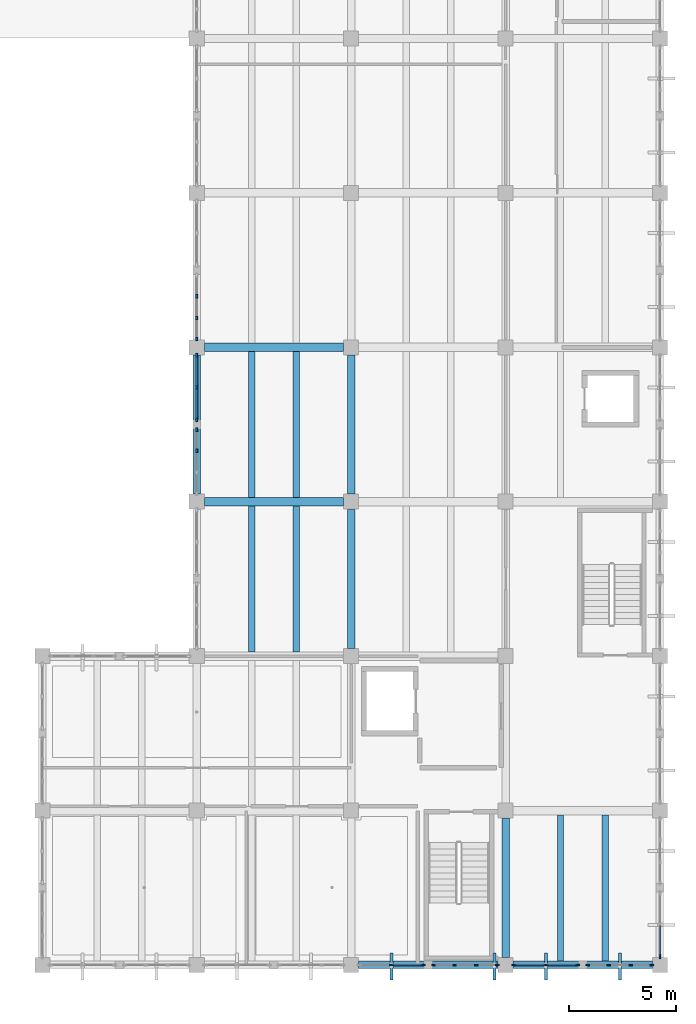
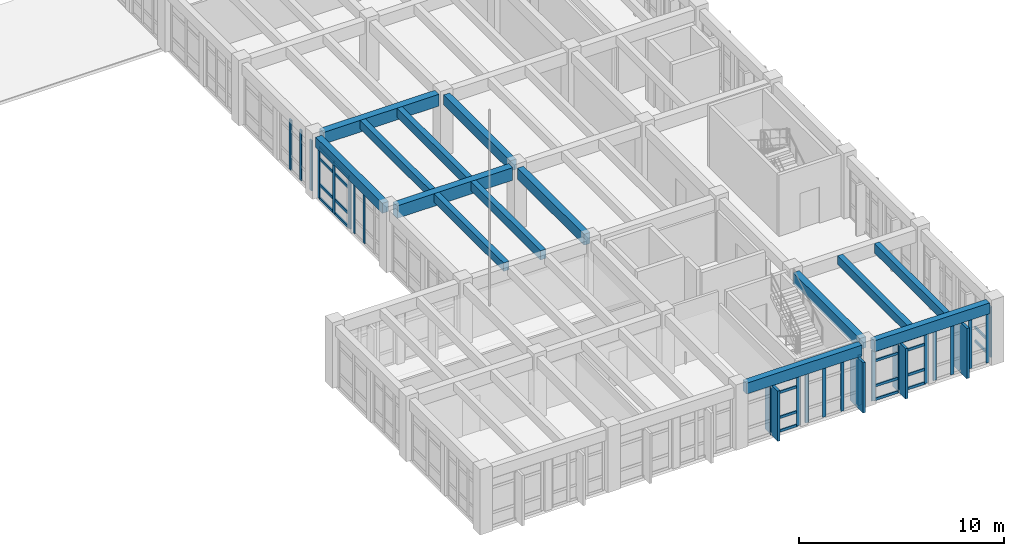
# One storey, part 12 of 54: 48 members, 14 beams, 8 elements without a shape of their own.
"""IFC4 building model written with IfcOpenShell, lengths in metres."""

from ifc_helpers import new_model, si_unit, direction, frame, origin, origin_2d, place, context, subcontext, project, spatial, rectangle, extrude, material, layer, layer_set, material_profile, profile_set, type_object, element, aggregate, save


model = new_model("IFC4")

# Units and contexts
model_context = context("Model", 3, precision=1e-05, world=origin(), true_north=direction((0.0, 1.0)))
body_context = subcontext(model_context, "Body", "Model", "MODEL_VIEW")
ifc_project = project(units=[si_unit("LENGTHUNIT", "METRE"), si_unit("AREAUNIT", "SQUARE_METRE"), si_unit("VOLUMEUNIT", "CUBIC_METRE"), si_unit("PLANEANGLEUNIT", "RADIAN"), si_unit("MASSUNIT", "GRAM", prefix="KILO")], contexts=[model_context])

# Site, building, storey
site_placement = place(None, origin())
site = spatial("IfcSite", under=ifc_project, at=site_placement, CompositionType="ELEMENT")
building_placement = place(site_placement, origin())
building = spatial("IfcBuilding", under=site, at=building_placement, Name="Koriwan Promenade Central Fire Station", CompositionType="ELEMENT")
storey_placement = place(building_placement, frame((0.0, 0.0, 9.60009765625)))
storey = spatial("IfcBuildingStorey", under=building, at=storey_placement, Name="L02", CompositionType="ELEMENT", Elevation=9.60009765625)

# Beams
ifc_material_1 = material(Name="Concrete C35/45", Category="concrete")
ifc_material_profile_1 = material_profile(ifc_material_1, rectangle(XDim=0.300048828125, YDim=0.5, at=origin_2d()), Name="RC-BM-300x500")
ifc_profile_set_1 = profile_set([ifc_material_profile_1], Name="Concrete C35/45")
beam_type_1 = type_object("IfcBeamType", Name="Beam_RC-BM-300x500", PredefinedType="JOIST", material=ifc_profile_set_1)
beam_1_placement = place(storey_placement, frame((168.159912109375, 0.175048828125, 3.39990234375), z_axis=(0.0, 1.0, 0.0), x_axis=(-1.0, 0.0, 0.0)))
element("IfcBeam", 1, at=beam_1_placement, inside=storey, type_object=beam_type_1, Name="V5 L02 secondary joist 821", PredefinedType="JOIST", context=body_context, shape_type="SweptSolid", body=[
    extrude(rectangle(XDim=0.300048828125, YDim=0.5, at=origin_2d()), origin(), (0.0, 0.0, 1.0), 6.824951171875),
])
beam_2_placement = place(storey_placement, frame((153.760009765625, 14.60009765625, 3.39990234375), z_axis=(0.0, 1.0, 0.0), x_axis=(-1.0, 0.0, 0.0)))
element("IfcBeam", 2, at=beam_2_placement, inside=storey, type_object=beam_type_1, Name="V5 L02 secondary joist 827", PredefinedType="JOIST", context=body_context, shape_type="SweptSolid", body=[
    extrude(rectangle(XDim=0.300048828125, YDim=0.5, at=origin_2d()), origin(), (0.0, 0.0, 1.0), 6.7998046875),
])
beam_3_placement = place(storey_placement, frame((153.760009765625, 21.800048828125, 3.39990234375), z_axis=(0.0, 1.0, 0.0), x_axis=(-1.0, 0.0, 0.0)))
element("IfcBeam", 3, at=beam_3_placement, inside=storey, type_object=beam_type_1, Name="V5 L02 secondary joist 831", PredefinedType="JOIST", context=body_context, shape_type="SweptSolid", body=[
    extrude(rectangle(XDim=0.300048828125, YDim=0.5, at=origin_2d()), origin(), (0.0, 0.0, 1.0), 6.800048828125),
])
ifc_material_profile_2 = material_profile(ifc_material_1, rectangle(XDim=0.300048828125, YDim=0.550048828125, at=origin_2d()), Name="RC-BM-300x550")
ifc_profile_set_2 = profile_set([ifc_material_profile_2], Name="Concrete C35/45")
beam_type_2 = type_object("IfcBeamType", Name="Beam_RC-BM-300x550", PredefinedType="JOIST", material=ifc_profile_set_2)
beam_4_placement = place(storey_placement, frame((170.239990234375, 0.175048828125, 3.375), z_axis=(0.0, 1.0, 0.0), x_axis=(-1.0, 0.0, 0.0)))
element("IfcBeam", 4, at=beam_4_placement, inside=storey, type_object=beam_type_2, Name="V5 L02 secondary joist 822", PredefinedType="JOIST", context=body_context, shape_type="SweptSolid", body=[
    extrude(rectangle(XDim=0.300048828125, YDim=0.550048828125, at=origin_2d()), origin(), (0.0, 0.0, 1.0), 6.824951171875),
])
beam_5_placement = place(storey_placement, frame((155.840087890625, 14.60009765625, 3.375), z_axis=(0.0, 1.0, 0.0), x_axis=(-1.0, 0.0, 0.0)))
element("IfcBeam", 5, at=beam_5_placement, inside=storey, type_object=beam_type_2, Name="V5 L02 secondary joist 828", PredefinedType="JOIST", context=body_context, shape_type="SweptSolid", body=[
    extrude(rectangle(XDim=0.300048828125, YDim=0.550048828125, at=origin_2d()), origin(), (0.0, 0.0, 1.0), 6.7998046875),
])
beam_6_placement = place(storey_placement, frame((155.840087890625, 21.800048828125, 3.375), z_axis=(0.0, 1.0, 0.0), x_axis=(-1.0, 0.0, 0.0)))
element("IfcBeam", 6, at=beam_6_placement, inside=storey, type_object=beam_type_2, Name="V5 L02 secondary joist 832", PredefinedType="JOIST", context=body_context, shape_type="SweptSolid", body=[
    extrude(rectangle(XDim=0.300048828125, YDim=0.550048828125, at=origin_2d()), origin(), (0.0, 0.0, 1.0), 6.800048828125),
])
ifc_material_profile_3 = material_profile(ifc_material_1, rectangle(XDim=0.35009765625, YDim=0.60009765625, at=origin_2d()), Name="RC-BM-350x600")
ifc_profile_set_3 = profile_set([ifc_material_profile_3], Name="Concrete C35/45")
beam_type_3 = type_object("IfcBeamType", Name="Beam_RC-BM-350x600", PredefinedType="BEAM", material=ifc_profile_set_3)
for number, where, z_axis, x_axis, name in (
    (7, (151.199951171875, 21.949951171875, 3.349853515625), (0.0, 1.0, 0.0), (-1.0, 0.0, 0.0), "V5 L02 girder Y-788"),
    (8, (158.39990234375, 21.949951171875, 3.349853515625), (0.0, 1.0, 0.0), (-1.0, 0.0, 0.0), "V5 L02 girder Y-796"),
):
    element("IfcBeam", number, at=place(storey_placement, frame(where, z_axis=z_axis, x_axis=x_axis)), inside=storey, type_object=beam_type_3, Name=name, PredefinedType="BEAM", context=body_context, shape_type="SweptSolid", body=[
        extrude(rectangle(XDim=0.35009765625, YDim=0.60009765625, at=origin_2d()), origin(), (0.0, 0.0, 1.0), 6.5),
    ])
ifc_material_profile_4 = material_profile(ifc_material_1, rectangle(XDim=0.35009765625, YDim=0.64990234375, at=origin_2d()), Name="RC-BM-350x650")
ifc_profile_set_4 = profile_set([ifc_material_profile_4], Name="Concrete C35/45")
beam_type_4 = type_object("IfcBeamType", Name="Beam_RC-BM-350x650", PredefinedType="BEAM", material=ifc_profile_set_4)
for number, where, z_axis, x_axis, name in (
    (9, (158.39990234375, 14.75, 3.324951171875), (0.0, 1.0, 0.0), (-1.0, 0.0, 0.0), "V5 L02 girder Y-795"),
    (10, (165.60009765625, 0.35009765625, 3.324951171875), (0.0, 1.0, 0.0), (-1.0, 0.0, 0.0), "V5 L02 girder Y-801"),
):
    element("IfcBeam", number, at=place(storey_placement, frame(where, z_axis=z_axis, x_axis=x_axis)), inside=storey, type_object=beam_type_4, Name=name, PredefinedType="BEAM", context=body_context, shape_type="SweptSolid", body=[
        extrude(rectangle(XDim=0.35009765625, YDim=0.64990234375, at=origin_2d()), origin(), (0.0, 0.0, 1.0), 6.5),
    ])
ifc_material_profile_5 = material_profile(ifc_material_1, rectangle(XDim=0.39990234375, YDim=0.699951171875, at=origin_2d()), Name="RC-BM-400x700")
ifc_profile_set_5 = profile_set([ifc_material_profile_5], Name="Concrete C35/45")
beam_type_5 = type_object("IfcBeamType", Name="Beam_RC-BM-400x700", PredefinedType="BEAM", material=ifc_profile_set_5)
beam_7_placement = place(storey_placement, frame((151.550048828125, 28.800048828125, 3.2998046875), z_axis=(1.0, 0.0, 0.0), x_axis=(0.0, 1.0, 0.0)))
element("IfcBeam", 11, at=beam_7_placement, inside=storey, type_object=beam_type_5, Name="V5 L02 girder X-768", PredefinedType="BEAM", context=body_context, shape_type="SweptSolid", body=[
    extrude(rectangle(XDim=0.39990234375, YDim=0.699951171875, at=origin_2d()), origin(), (0.0, 0.0, 1.0), 6.5),
])
ifc_material_profile_6 = material_profile(ifc_material_1, rectangle(XDim=0.39990234375, YDim=0.75, at=origin_2d()), Name="RC-BM-400x750")
ifc_profile_set_6 = profile_set([ifc_material_profile_6], Name="Concrete C35/45")
beam_type_6 = type_object("IfcBeamType", Name="Beam_RC-BM-400x750", PredefinedType="BEAM", material=ifc_profile_set_6)
beam_8_placement = place(storey_placement, frame((151.550048828125, 21.60009765625, 3.27490234375), z_axis=(1.0, 0.0, 0.0), x_axis=(0.0, 1.0, 0.0)))
element("IfcBeam", 12, at=beam_8_placement, inside=storey, type_object=beam_type_6, Name="V5 L02 girder X-765", PredefinedType="BEAM", context=body_context, shape_type="SweptSolid", body=[
    extrude(rectangle(XDim=0.39990234375, YDim=0.75, at=origin_2d()), origin(), (0.0, 0.0, 1.0), 6.5),
])
ifc_material_profile_7 = material_profile(ifc_material_1, rectangle(XDim=0.35009765625, YDim=0.64990234375, at=origin_2d()), Name="RC-SP-350x650")
ifc_profile_set_7 = profile_set([ifc_material_profile_7], Name="Concrete C35/45")
beam_type_7 = type_object("IfcBeamType", Name="Beam_RC-SP-350x650", PredefinedType="SPANDREL", material=ifc_profile_set_7)
for number, where, z_axis, x_axis, name in (
    (13, (158.75, 0.0, 3.324951171875), (1.0, 0.0, 0.0), (0.0, 1.0, 0.0), "V5 L02 girder X-757"),
    (14, (165.949951171875, 0.0, 3.324951171875), (1.0, 0.0, 0.0), (0.0, 1.0, 0.0), "V5 L02 girder X-758"),
):
    element("IfcBeam", number, at=place(storey_placement, frame(where, z_axis=z_axis, x_axis=x_axis)), inside=storey, type_object=beam_type_7, Name=name, PredefinedType="SPANDREL", context=body_context, shape_type="SweptSolid", body=[
        extrude(rectangle(XDim=0.35009765625, YDim=0.64990234375, at=origin_2d()), origin(), (0.0, 0.0, 1.0), 6.5),
    ])

# Curtain wall, members
ifc_material_2 = material(Name="Aluminium EN AW-6063-T6 and low-E glazing", Category="aluminium")
ifc_layer_1 = layer(ifc_material_2, 0.159912109375, Name="Aluminium EN AW-6063-T6 and low-E glazing")
ifc_layer_set_1 = layer_set([ifc_layer_1], Name="Aluminium EN AW-6063-T6 and low-E glazing")
curtain_wall_type_1 = type_object("IfcCurtainWallType", Name="CurtainWall_73_305x299", PredefinedType="USERDEFINED", material=ifc_layer_set_1)
curtain_wall_1_placement = place(storey_placement, origin())
curtain_wall_1 = element("IfcCurtainWall", 15, at=curtain_wall_1_placement, inside=storey, type_object=curtain_wall_type_1, Name="V5 L02 unitised curtain wall 209", ObjectType="UNITISED CURTAIN WALL", PredefinedType="USERDEFINED")
ifc_material_3 = material(Name="Aluminium EN AW-6063-T6", Category="aluminium")
ifc_material_profile_8 = material_profile(ifc_material_3, rectangle(XDim=0.074951171875, YDim=0.179931640625, at=origin_2d()), Name="ALU-MUL-75x180")
ifc_profile_set_8 = profile_set([ifc_material_profile_8], Name="Aluminium EN AW-6063-T6")
member_type_1 = type_object("IfcMemberType", Name="CWMullion_ALU-MUL-75x180", PredefinedType="MULLION", material=ifc_profile_set_8)
member_1_placement = place(storey_placement, frame((172.41259765625, 0.0, 0.0), z_axis=(0.0, 0.0, 1.0), x_axis=(0.0, -1.0, 0.0)))
member_1 = element("IfcMember", 16, at=member_1_placement, type_object=member_type_1, Name="CW-73 mullion 1", PredefinedType="MULLION", context=body_context, shape_type="SweptSolid", body=[
    extrude(rectangle(XDim=0.074951171875, YDim=0.179931640625, at=origin_2d()), origin(), (0.0, 0.0, 1.0), 2.989990234375),
])
member_2_placement = place(storey_placement, frame((171.433349609375, 0.0, 0.0), z_axis=(0.0, 0.0, 1.0), x_axis=(0.0, -1.0, 0.0)))
member_2 = element("IfcMember", 17, at=member_2_placement, type_object=member_type_1, Name="CW-73 mullion 2", PredefinedType="MULLION", context=body_context, shape_type="SweptSolid", body=[
    extrude(rectangle(XDim=0.074951171875, YDim=0.179931640625, at=origin_2d()), origin(), (0.0, 0.0, 1.0), 2.989990234375),
])
member_3_placement = place(storey_placement, frame((170.416748046875, 0.0, 0.0), z_axis=(0.0, 0.0, 1.0), x_axis=(0.0, -1.0, 0.0)))
member_3 = element("IfcMember", 18, at=member_3_placement, type_object=member_type_1, Name="CW-73 mullion 3", PredefinedType="MULLION", context=body_context, shape_type="SweptSolid", body=[
    extrude(rectangle(XDim=0.074951171875, YDim=0.179931640625, at=origin_2d()), origin(), (0.0, 0.0, 1.0), 2.989990234375),
])
member_4_placement = place(storey_placement, frame((169.4375, 0.0, 0.0), z_axis=(0.0, 0.0, 1.0), x_axis=(0.0, -1.0, 0.0)))
member_4 = element("IfcMember", 19, at=member_4_placement, type_object=member_type_1, Name="CW-73 mullion 4", PredefinedType="MULLION", context=body_context, shape_type="SweptSolid", body=[
    extrude(rectangle(XDim=0.074951171875, YDim=0.179931640625, at=origin_2d()), origin(), (0.0, 0.0, 1.0), 2.989990234375),
])
aggregate(curtain_wall_1, [member_1, member_2, member_3, member_4])

curtain_wall_2_placement = place(storey_placement, origin())
curtain_wall_2 = element("IfcCurtainWall", 20, at=curtain_wall_2_placement, inside=storey, type_object=curtain_wall_type_1, Name="V5 L02 unitised curtain wall 211", ObjectType="UNITISED CURTAIN WALL", PredefinedType="USERDEFINED")
member_5_placement = place(storey_placement, frame((165.21240234375, 0.0, 0.0), z_axis=(0.0, 0.0, 1.0), x_axis=(0.0, -1.0, 0.0)))
member_5 = element("IfcMember", 21, at=member_5_placement, type_object=member_type_1, Name="CW-73 mullion 1", PredefinedType="MULLION", context=body_context, shape_type="SweptSolid", body=[
    extrude(rectangle(XDim=0.074951171875, YDim=0.179931640625, at=origin_2d()), origin(), (0.0, 0.0, 1.0), 2.989990234375),
])
member_6_placement = place(storey_placement, frame((164.2333984375, 0.0, 0.0), z_axis=(0.0, 0.0, 1.0), x_axis=(0.0, -1.0, 0.0)))
member_6 = element("IfcMember", 22, at=member_6_placement, type_object=member_type_1, Name="CW-73 mullion 2", PredefinedType="MULLION", context=body_context, shape_type="SweptSolid", body=[
    extrude(rectangle(XDim=0.074951171875, YDim=0.179931640625, at=origin_2d()), origin(), (0.0, 0.0, 1.0), 2.989990234375),
])
member_7_placement = place(storey_placement, frame((163.216552734375, 0.0, 0.0), z_axis=(0.0, 0.0, 1.0), x_axis=(0.0, -1.0, 0.0)))
member_7 = element("IfcMember", 23, at=member_7_placement, type_object=member_type_1, Name="CW-73 mullion 3", PredefinedType="MULLION", context=body_context, shape_type="SweptSolid", body=[
    extrude(rectangle(XDim=0.074951171875, YDim=0.179931640625, at=origin_2d()), origin(), (0.0, 0.0, 1.0), 2.989990234375),
])
member_8_placement = place(storey_placement, frame((162.237548828125, 0.0, 0.0), z_axis=(0.0, 0.0, 1.0), x_axis=(0.0, -1.0, 0.0)))
member_8 = element("IfcMember", 24, at=member_8_placement, type_object=member_type_1, Name="CW-73 mullion 4", PredefinedType="MULLION", context=body_context, shape_type="SweptSolid", body=[
    extrude(rectangle(XDim=0.074951171875, YDim=0.179931640625, at=origin_2d()), origin(), (0.0, 0.0, 1.0), 2.989990234375),
])
aggregate(curtain_wall_2, [member_5, member_6, member_7, member_8])

ifc_layer_2 = layer(ifc_material_2, 0.159912109375, Name="Aluminium EN AW-6063-T6 and low-E glazing")
ifc_layer_set_2 = layer_set([ifc_layer_2], Name="Aluminium EN AW-6063-T6 and low-E glazing")
curtain_wall_type_2 = type_object("IfcCurtainWallType", Name="CurtainWall_80_305x304", PredefinedType="USERDEFINED", material=ifc_layer_set_2)
curtain_wall_3_placement = place(storey_placement, origin())
curtain_wall_3 = element("IfcCurtainWall", 25, at=curtain_wall_3_placement, inside=storey, type_object=curtain_wall_type_2, Name="V5 L02 unitised curtain wall 225", ObjectType="UNITISED CURTAIN WALL", PredefinedType="USERDEFINED")
member_9_placement = place(storey_placement, frame((151.199951171875, 23.9833984375, 0.0), z_axis=(0.0, 0.0, 1.0), x_axis=(-1.0, 0.0, 0.0)))
member_9 = element("IfcMember", 26, at=member_9_placement, type_object=member_type_1, Name="CW-80 mullion 3", PredefinedType="MULLION", context=body_context, shape_type="SweptSolid", body=[
    extrude(rectangle(XDim=0.074951171875, YDim=0.179931640625, at=origin_2d()), origin(), (0.0, 0.0, 1.0), 3.039794921875),
])
member_10_placement = place(storey_placement, frame((151.199951171875, 24.96240234375, 0.0), z_axis=(0.0, 0.0, 1.0), x_axis=(-1.0, 0.0, 0.0)))
member_10 = element("IfcMember", 27, at=member_10_placement, type_object=member_type_1, Name="CW-80 mullion 4", PredefinedType="MULLION", context=body_context, shape_type="SweptSolid", body=[
    extrude(rectangle(XDim=0.074951171875, YDim=0.179931640625, at=origin_2d()), origin(), (0.0, 0.0, 1.0), 3.039794921875),
])
aggregate(curtain_wall_3, [member_9, member_10])

curtain_wall_4_placement = place(storey_placement, origin())
curtain_wall_4 = element("IfcCurtainWall", 28, at=curtain_wall_4_placement, inside=storey, type_object=curtain_wall_type_1, Name="V5 L02 unitised curtain wall 227", ObjectType="UNITISED CURTAIN WALL", PredefinedType="USERDEFINED")
member_11_placement = place(storey_placement, frame((151.199951171875, 29.1875, 0.0), z_axis=(0.0, 0.0, 1.0), x_axis=(-1.0, 0.0, 0.0)))
member_11 = element("IfcMember", 29, at=member_11_placement, type_object=member_type_1, Name="CW-73 mullion 1", PredefinedType="MULLION", context=body_context, shape_type="SweptSolid", body=[
    extrude(rectangle(XDim=0.074951171875, YDim=0.179931640625, at=origin_2d()), origin(), (0.0, 0.0, 1.0), 2.989990234375),
])
member_12_placement = place(storey_placement, frame((151.199951171875, 30.166748046875, 0.0), z_axis=(0.0, 0.0, 1.0), x_axis=(-1.0, 0.0, 0.0)))
member_12 = element("IfcMember", 30, at=member_12_placement, type_object=member_type_1, Name="CW-73 mullion 2", PredefinedType="MULLION", context=body_context, shape_type="SweptSolid", body=[
    extrude(rectangle(XDim=0.074951171875, YDim=0.179931640625, at=origin_2d()), origin(), (0.0, 0.0, 1.0), 2.989990234375),
])
member_13_placement = place(storey_placement, frame((151.199951171875, 31.183349609375, 0.0), z_axis=(0.0, 0.0, 1.0), x_axis=(-1.0, 0.0, 0.0)))
member_13 = element("IfcMember", 31, at=member_13_placement, type_object=member_type_1, Name="CW-73 mullion 3", PredefinedType="MULLION", context=body_context, shape_type="SweptSolid", body=[
    extrude(rectangle(XDim=0.074951171875, YDim=0.179931640625, at=origin_2d()), origin(), (0.0, 0.0, 1.0), 2.989990234375),
])
aggregate(curtain_wall_4, [member_11, member_12, member_13])

ifc_layer_3 = layer(ifc_material_2, 0.159912109375, Name="Aluminium EN AW-6063-T6 and low-E glazing")
ifc_layer_set_3 = layer_set([ifc_layer_3], Name="Aluminium EN AW-6063-T6 and low-E glazing")
curtain_wall_type_3 = type_object("IfcCurtainWallType", Name="CurtainWall_10_305x299", PredefinedType="USERDEFINED", material=ifc_layer_set_3)
curtain_wall_5_placement = place(storey_placement, origin())
curtain_wall_5 = element("IfcCurtainWall", 32, at=curtain_wall_5_placement, inside=storey, type_object=curtain_wall_type_3, Name="V5 L02 unitised curtain wall 210", ObjectType="UNITISED CURTAIN WALL", PredefinedType="USERDEFINED")
ifc_material_profile_9 = material_profile(ifc_material_3, rectangle(XDim=0.080078125, YDim=0.2099609375, at=origin_2d()), Name="ALU-MUL-80x210")
ifc_profile_set_9 = profile_set([ifc_material_profile_9], Name="Aluminium EN AW-6063-T6")
member_type_2 = type_object("IfcMemberType", Name="CWMullion_ALU-MUL-80x210", PredefinedType="MULLION", material=ifc_profile_set_9)
member_14_placement = place(storey_placement, frame((168.9599609375, 0.0, 0.0), z_axis=(0.0, 0.0, 1.0), x_axis=(0.0, -1.0, 0.0)))
member_14 = element("IfcMember", 33, at=member_14_placement, type_object=member_type_2, Name="CW-10 mullion 1", PredefinedType="MULLION", context=body_context, shape_type="SweptSolid", body=[
    extrude(rectangle(XDim=0.080078125, YDim=0.2099609375, at=origin_2d()), origin(), (0.0, 0.0, 1.0), 2.989990234375),
])
member_15_placement = place(storey_placement, frame((167.47509765625, 0.0, 0.0), z_axis=(0.0, 0.0, 1.0), x_axis=(0.0, -1.0, 0.0)))
member_15 = element("IfcMember", 34, at=member_15_placement, type_object=member_type_2, Name="CW-10 mullion 2", PredefinedType="MULLION", context=body_context, shape_type="SweptSolid", body=[
    extrude(rectangle(XDim=0.080078125, YDim=0.2099609375, at=origin_2d()), origin(), (0.0, 0.0, 1.0), 2.989990234375),
])
member_16_placement = place(storey_placement, frame((165.989990234375, 0.0, 0.0), z_axis=(0.0, 0.0, 1.0), x_axis=(0.0, -1.0, 0.0)))
member_16 = element("IfcMember", 35, at=member_16_placement, type_object=member_type_2, Name="CW-10 mullion 3", PredefinedType="MULLION", context=body_context, shape_type="SweptSolid", body=[
    extrude(rectangle(XDim=0.080078125, YDim=0.2099609375, at=origin_2d()), origin(), (0.0, 0.0, 1.0), 2.989990234375),
])

curtain_wall_6_placement = place(storey_placement, origin())
curtain_wall_6 = element("IfcCurtainWall", 36, at=curtain_wall_6_placement, inside=storey, type_object=curtain_wall_type_3, Name="V5 L02 unitised curtain wall 212", ObjectType="UNITISED CURTAIN WALL", PredefinedType="USERDEFINED")
member_17_placement = place(storey_placement, frame((161.760009765625, 0.0, 0.0), z_axis=(0.0, 0.0, 1.0), x_axis=(0.0, -1.0, 0.0)))
member_17 = element("IfcMember", 37, at=member_17_placement, type_object=member_type_2, Name="CW-10 mullion 1", PredefinedType="MULLION", context=body_context, shape_type="SweptSolid", body=[
    extrude(rectangle(XDim=0.080078125, YDim=0.2099609375, at=origin_2d()), origin(), (0.0, 0.0, 1.0), 2.989990234375),
])
member_18_placement = place(storey_placement, frame((160.27490234375, 0.0, 0.0), z_axis=(0.0, 0.0, 1.0), x_axis=(0.0, -1.0, 0.0)))
member_18 = element("IfcMember", 38, at=member_18_placement, type_object=member_type_2, Name="CW-10 mullion 2", PredefinedType="MULLION", context=body_context, shape_type="SweptSolid", body=[
    extrude(rectangle(XDim=0.080078125, YDim=0.2099609375, at=origin_2d()), origin(), (0.0, 0.0, 1.0), 2.989990234375),
])

ifc_layer_4 = layer(ifc_material_2, 0.159912109375, Name="Aluminium EN AW-6063-T6 and low-E glazing")
ifc_layer_set_4 = layer_set([ifc_layer_4], Name="Aluminium EN AW-6063-T6 and low-E glazing")
curtain_wall_type_4 = type_object("IfcCurtainWallType", Name="CurtainWall_81_305x304", PredefinedType="USERDEFINED", material=ifc_layer_set_4)
curtain_wall_7_placement = place(storey_placement, origin())
curtain_wall_7 = element("IfcCurtainWall", 39, at=curtain_wall_7_placement, inside=storey, type_object=curtain_wall_type_4, Name="V5 L02 unitised curtain wall 226", ObjectType="UNITISED CURTAIN WALL", PredefinedType="USERDEFINED")
member_19_placement = place(storey_placement, frame((151.199951171875, 25.43994140625, 0.0), z_axis=(0.0, 0.0, 1.0), x_axis=(-1.0, 0.0, 0.0)))
member_19 = element("IfcMember", 40, at=member_19_placement, type_object=member_type_2, Name="CW-81 mullion 1", PredefinedType="MULLION", context=body_context, shape_type="SweptSolid", body=[
    extrude(rectangle(XDim=0.080078125, YDim=0.2099609375, at=origin_2d()), origin(), (0.0, 0.0, 1.0), 3.039794921875),
])
member_20_placement = place(storey_placement, frame((151.199951171875, 26.925048828125, 0.0), z_axis=(0.0, 0.0, 1.0), x_axis=(-1.0, 0.0, 0.0)))
member_20 = element("IfcMember", 41, at=member_20_placement, type_object=member_type_2, Name="CW-81 mullion 2", PredefinedType="MULLION", context=body_context, shape_type="SweptSolid", body=[
    extrude(rectangle(XDim=0.080078125, YDim=0.2099609375, at=origin_2d()), origin(), (0.0, 0.0, 1.0), 3.039794921875),
])
member_21_placement = place(storey_placement, frame((151.199951171875, 28.409912109375, 0.0), z_axis=(0.0, 0.0, 1.0), x_axis=(-1.0, 0.0, 0.0)))
member_21 = element("IfcMember", 42, at=member_21_placement, type_object=member_type_2, Name="CW-81 mullion 3", PredefinedType="MULLION", context=body_context, shape_type="SweptSolid", body=[
    extrude(rectangle(XDim=0.080078125, YDim=0.2099609375, at=origin_2d()), origin(), (0.0, 0.0, 1.0), 3.039794921875),
])

# Curtain wall, member
curtain_wall_8_placement = place(storey_placement, origin())
curtain_wall_8 = element("IfcCurtainWall", 43, at=curtain_wall_8_placement, inside=storey, type_object=curtain_wall_type_3, Name="V5 L02 unitised curtain wall 250", ObjectType="UNITISED CURTAIN WALL", PredefinedType="USERDEFINED")
member_22_placement = place(storey_placement, frame((172.800048828125, 0.389892578125, 0.0), z_axis=(0.0, 0.0, 1.0), x_axis=(1.0, 0.0, 0.0)))
member_22 = element("IfcMember", 44, at=member_22_placement, type_object=member_type_2, Name="CW-10 mullion 3", PredefinedType="MULLION", context=body_context, shape_type="SweptSolid", body=[
    extrude(rectangle(XDim=0.080078125, YDim=0.2099609375, at=origin_2d()), origin(), (0.0, 0.0, 1.0), 2.989990234375),
])

# Member
ifc_material_profile_10 = material_profile(ifc_material_3, rectangle(XDim=0.080078125, YDim=0.155029296875, at=origin_2d()), Name="ALU-TRN-80x155")
ifc_profile_set_10 = profile_set([ifc_material_profile_10], Name="Aluminium EN AW-6063-T6")
member_type_3 = type_object("IfcMemberType", Name="CWTransom_ALU-TRN-80x155", PredefinedType="USERDEFINED", material=ifc_profile_set_10)
member_23_placement = place(storey_placement, frame((168.919921875, 0.0, 0.039794921875), z_axis=(-1.0, 0.0, 0.0), x_axis=(0.0, -1.0, 0.0)))
member_23 = element("IfcMember", 45, at=member_23_placement, type_object=member_type_3, Name="CW-10 transom 1.1", ObjectType="TRANSOM", PredefinedType="USERDEFINED", context=body_context, shape_type="SweptSolid", body=[
    extrude(rectangle(XDim=0.080078125, YDim=0.155029296875, at=origin_2d()), origin(), (0.0, 0.0, 1.0), 1.405029296875),
])

member_24_placement = place(storey_placement, frame((168.919921875, 0.0, 0.849853515625), z_axis=(-1.0, 0.0, 0.0), x_axis=(0.0, -1.0, 0.0)))
member_24 = element("IfcMember", 46, at=member_24_placement, type_object=member_type_3, Name="CW-10 transom 1.2", ObjectType="TRANSOM", PredefinedType="USERDEFINED", context=body_context, shape_type="SweptSolid", body=[
    extrude(rectangle(XDim=0.080078125, YDim=0.155029296875, at=origin_2d()), origin(), (0.0, 0.0, 1.0), 1.405029296875),
])

member_25_placement = place(storey_placement, frame((168.919921875, 0.0, 2.33984375), z_axis=(-1.0, 0.0, 0.0), x_axis=(0.0, -1.0, 0.0)))
member_25 = element("IfcMember", 47, at=member_25_placement, type_object=member_type_3, Name="CW-10 transom 1.3", ObjectType="TRANSOM", PredefinedType="USERDEFINED", context=body_context, shape_type="SweptSolid", body=[
    extrude(rectangle(XDim=0.080078125, YDim=0.155029296875, at=origin_2d()), origin(), (0.0, 0.0, 1.0), 1.405029296875),
])

member_26_placement = place(storey_placement, frame((168.919921875, 0.0, 2.949951171875), z_axis=(-1.0, 0.0, 0.0), x_axis=(0.0, -1.0, 0.0)))
member_26 = element("IfcMember", 48, at=member_26_placement, type_object=member_type_3, Name="CW-10 transom 1.4", ObjectType="TRANSOM", PredefinedType="USERDEFINED", context=body_context, shape_type="SweptSolid", body=[
    extrude(rectangle(XDim=0.080078125, YDim=0.155029296875, at=origin_2d()), origin(), (0.0, 0.0, 1.0), 1.405029296875),
])

member_27_placement = place(storey_placement, frame((167.43505859375, 0.0, 0.039794921875), z_axis=(-1.0, 0.0, 0.0), x_axis=(0.0, -1.0, 0.0)))
member_27 = element("IfcMember", 49, at=member_27_placement, type_object=member_type_3, Name="CW-10 transom 2.1", ObjectType="TRANSOM", PredefinedType="USERDEFINED", context=body_context, shape_type="SweptSolid", body=[
    extrude(rectangle(XDim=0.080078125, YDim=0.155029296875, at=origin_2d()), origin(), (0.0, 0.0, 1.0), 1.405029296875),
])

member_28_placement = place(storey_placement, frame((167.43505859375, 0.0, 0.849853515625), z_axis=(-1.0, 0.0, 0.0), x_axis=(0.0, -1.0, 0.0)))
member_28 = element("IfcMember", 50, at=member_28_placement, type_object=member_type_3, Name="CW-10 transom 2.2", ObjectType="TRANSOM", PredefinedType="USERDEFINED", context=body_context, shape_type="SweptSolid", body=[
    extrude(rectangle(XDim=0.080078125, YDim=0.155029296875, at=origin_2d()), origin(), (0.0, 0.0, 1.0), 1.405029296875),
])

member_29_placement = place(storey_placement, frame((167.43505859375, 0.0, 2.33984375), z_axis=(-1.0, 0.0, 0.0), x_axis=(0.0, -1.0, 0.0)))
member_29 = element("IfcMember", 51, at=member_29_placement, type_object=member_type_3, Name="CW-10 transom 2.3", ObjectType="TRANSOM", PredefinedType="USERDEFINED", context=body_context, shape_type="SweptSolid", body=[
    extrude(rectangle(XDim=0.080078125, YDim=0.155029296875, at=origin_2d()), origin(), (0.0, 0.0, 1.0), 1.405029296875),
])

member_30_placement = place(storey_placement, frame((167.43505859375, 0.0, 2.949951171875), z_axis=(-1.0, 0.0, 0.0), x_axis=(0.0, -1.0, 0.0)))
member_30 = element("IfcMember", 52, at=member_30_placement, type_object=member_type_3, Name="CW-10 transom 2.4", ObjectType="TRANSOM", PredefinedType="USERDEFINED", context=body_context, shape_type="SweptSolid", body=[
    extrude(rectangle(XDim=0.080078125, YDim=0.155029296875, at=origin_2d()), origin(), (0.0, 0.0, 1.0), 1.405029296875),
])

aggregate(curtain_wall_5, [member_14, member_15, member_16, member_23, member_24, member_25, member_26, member_27, member_28, member_29, member_30])

member_31_placement = place(storey_placement, frame((161.719970703125, 0.0, 0.039794921875), z_axis=(-1.0, 0.0, 0.0), x_axis=(0.0, -1.0, 0.0)))
member_31 = element("IfcMember", 53, at=member_31_placement, type_object=member_type_3, Name="CW-10 transom 1.1", ObjectType="TRANSOM", PredefinedType="USERDEFINED", context=body_context, shape_type="SweptSolid", body=[
    extrude(rectangle(XDim=0.080078125, YDim=0.155029296875, at=origin_2d()), origin(), (0.0, 0.0, 1.0), 1.405029296875),
])

member_32_placement = place(storey_placement, frame((161.719970703125, 0.0, 0.849853515625), z_axis=(-1.0, 0.0, 0.0), x_axis=(0.0, -1.0, 0.0)))
member_32 = element("IfcMember", 54, at=member_32_placement, type_object=member_type_3, Name="CW-10 transom 1.2", ObjectType="TRANSOM", PredefinedType="USERDEFINED", context=body_context, shape_type="SweptSolid", body=[
    extrude(rectangle(XDim=0.080078125, YDim=0.155029296875, at=origin_2d()), origin(), (0.0, 0.0, 1.0), 1.405029296875),
])

member_33_placement = place(storey_placement, frame((161.719970703125, 0.0, 2.33984375), z_axis=(-1.0, 0.0, 0.0), x_axis=(0.0, -1.0, 0.0)))
member_33 = element("IfcMember", 55, at=member_33_placement, type_object=member_type_3, Name="CW-10 transom 1.3", ObjectType="TRANSOM", PredefinedType="USERDEFINED", context=body_context, shape_type="SweptSolid", body=[
    extrude(rectangle(XDim=0.080078125, YDim=0.155029296875, at=origin_2d()), origin(), (0.0, 0.0, 1.0), 1.405029296875),
])

member_34_placement = place(storey_placement, frame((161.719970703125, 0.0, 2.949951171875), z_axis=(-1.0, 0.0, 0.0), x_axis=(0.0, -1.0, 0.0)))
member_34 = element("IfcMember", 56, at=member_34_placement, type_object=member_type_3, Name="CW-10 transom 1.4", ObjectType="TRANSOM", PredefinedType="USERDEFINED", context=body_context, shape_type="SweptSolid", body=[
    extrude(rectangle(XDim=0.080078125, YDim=0.155029296875, at=origin_2d()), origin(), (0.0, 0.0, 1.0), 1.405029296875),
])

aggregate(curtain_wall_6, [member_17, member_18, member_31, member_32, member_33, member_34])

member_35_placement = place(storey_placement, frame((151.199951171875, 25.47998046875, 0.039794921875), z_axis=(0.0, 1.0, 0.0), x_axis=(-1.0, 0.0, 0.0)))
member_35 = element("IfcMember", 57, at=member_35_placement, type_object=member_type_3, Name="CW-81 transom 1.1", ObjectType="TRANSOM", PredefinedType="USERDEFINED", context=body_context, shape_type="SweptSolid", body=[
    extrude(rectangle(XDim=0.080078125, YDim=0.155029296875, at=origin_2d()), origin(), (0.0, 0.0, 1.0), 1.405029296875),
])

member_36_placement = place(storey_placement, frame((151.199951171875, 25.47998046875, 0.849853515625), z_axis=(0.0, 1.0, 0.0), x_axis=(-1.0, 0.0, 0.0)))
member_36 = element("IfcMember", 58, at=member_36_placement, type_object=member_type_3, Name="CW-81 transom 1.2", ObjectType="TRANSOM", PredefinedType="USERDEFINED", context=body_context, shape_type="SweptSolid", body=[
    extrude(rectangle(XDim=0.080078125, YDim=0.155029296875, at=origin_2d()), origin(), (0.0, 0.0, 1.0), 1.405029296875),
])

member_37_placement = place(storey_placement, frame((151.199951171875, 25.47998046875, 2.389892578125), z_axis=(0.0, 1.0, 0.0), x_axis=(-1.0, 0.0, 0.0)))
member_37 = element("IfcMember", 59, at=member_37_placement, type_object=member_type_3, Name="CW-81 transom 1.3", ObjectType="TRANSOM", PredefinedType="USERDEFINED", context=body_context, shape_type="SweptSolid", body=[
    extrude(rectangle(XDim=0.080078125, YDim=0.155029296875, at=origin_2d()), origin(), (0.0, 0.0, 1.0), 1.405029296875),
])

member_38_placement = place(storey_placement, frame((151.199951171875, 25.47998046875, 3.0), z_axis=(0.0, 1.0, 0.0), x_axis=(-1.0, 0.0, 0.0)))
member_38 = element("IfcMember", 60, at=member_38_placement, type_object=member_type_3, Name="CW-81 transom 1.4", ObjectType="TRANSOM", PredefinedType="USERDEFINED", context=body_context, shape_type="SweptSolid", body=[
    extrude(rectangle(XDim=0.080078125, YDim=0.155029296875, at=origin_2d()), origin(), (0.0, 0.0, 1.0), 1.405029296875),
])

member_39_placement = place(storey_placement, frame((151.199951171875, 26.965087890625, 0.039794921875), z_axis=(0.0, 1.0, 0.0), x_axis=(-1.0, 0.0, 0.0)))
member_39 = element("IfcMember", 61, at=member_39_placement, type_object=member_type_3, Name="CW-81 transom 2.1", ObjectType="TRANSOM", PredefinedType="USERDEFINED", context=body_context, shape_type="SweptSolid", body=[
    extrude(rectangle(XDim=0.080078125, YDim=0.155029296875, at=origin_2d()), origin(), (0.0, 0.0, 1.0), 1.405029296875),
])

member_40_placement = place(storey_placement, frame((151.199951171875, 26.965087890625, 0.849853515625), z_axis=(0.0, 1.0, 0.0), x_axis=(-1.0, 0.0, 0.0)))
member_40 = element("IfcMember", 62, at=member_40_placement, type_object=member_type_3, Name="CW-81 transom 2.2", ObjectType="TRANSOM", PredefinedType="USERDEFINED", context=body_context, shape_type="SweptSolid", body=[
    extrude(rectangle(XDim=0.080078125, YDim=0.155029296875, at=origin_2d()), origin(), (0.0, 0.0, 1.0), 1.405029296875),
])

member_41_placement = place(storey_placement, frame((151.199951171875, 26.965087890625, 2.389892578125), z_axis=(0.0, 1.0, 0.0), x_axis=(-1.0, 0.0, 0.0)))
member_41 = element("IfcMember", 63, at=member_41_placement, type_object=member_type_3, Name="CW-81 transom 2.3", ObjectType="TRANSOM", PredefinedType="USERDEFINED", context=body_context, shape_type="SweptSolid", body=[
    extrude(rectangle(XDim=0.080078125, YDim=0.155029296875, at=origin_2d()), origin(), (0.0, 0.0, 1.0), 1.405029296875),
])

member_42_placement = place(storey_placement, frame((151.199951171875, 26.965087890625, 3.0), z_axis=(0.0, 1.0, 0.0), x_axis=(-1.0, 0.0, 0.0)))
member_42 = element("IfcMember", 64, at=member_42_placement, type_object=member_type_3, Name="CW-81 transom 2.4", ObjectType="TRANSOM", PredefinedType="USERDEFINED", context=body_context, shape_type="SweptSolid", body=[
    extrude(rectangle(XDim=0.080078125, YDim=0.155029296875, at=origin_2d()), origin(), (0.0, 0.0, 1.0), 1.405029296875),
])

aggregate(curtain_wall_7, [member_19, member_20, member_21, member_35, member_36, member_37, member_38, member_39, member_40, member_41, member_42])

member_43_placement = place(storey_placement, frame((172.800048828125, 1.8349609375, 0.039794921875), z_axis=(0.0, -1.0, 0.0), x_axis=(1.0, 0.0, 0.0)))
member_43 = element("IfcMember", 65, at=member_43_placement, type_object=member_type_3, Name="CW-10 transom 2.1", ObjectType="TRANSOM", PredefinedType="USERDEFINED", context=body_context, shape_type="SweptSolid", body=[
    extrude(rectangle(XDim=0.080078125, YDim=0.155029296875, at=origin_2d()), origin(), (0.0, 0.0, 1.0), 1.405029296875),
])

member_44_placement = place(storey_placement, frame((172.800048828125, 1.8349609375, 0.849853515625), z_axis=(0.0, -1.0, 0.0), x_axis=(1.0, 0.0, 0.0)))
member_44 = element("IfcMember", 66, at=member_44_placement, type_object=member_type_3, Name="CW-10 transom 2.2", ObjectType="TRANSOM", PredefinedType="USERDEFINED", context=body_context, shape_type="SweptSolid", body=[
    extrude(rectangle(XDim=0.080078125, YDim=0.155029296875, at=origin_2d()), origin(), (0.0, 0.0, 1.0), 1.405029296875),
])

aggregate(curtain_wall_8, [member_22, member_43, member_44])

# Members
ifc_material_4 = material(Name="Aluminium EN AW-6063-T6 terracotta finish", Category="masonry")
ifc_material_profile_11 = material_profile(ifc_material_4, rectangle(XDim=0.139892578125, YDim=1.25, at=origin_2d()), Name="FIN-TRC-140x1250")
ifc_profile_set_11 = profile_set([ifc_material_profile_11], Name="Aluminium EN AW-6063-T6 terracotta finish")
member_type_4 = type_object("IfcMemberType", Name="SolarFin_FIN-TRC-140x1250", PredefinedType="USERDEFINED", material=ifc_profile_set_11)
for number, where, z_axis, x_axis, name in (
    (67, (170.925048828125, -0.074951171875, 0.0), (0.0, 0.0, 1.0), (-1.0, 0.0, 0.0), "V5 L02 terracotta solar fin 059"),
    (68, (167.47509765625, -0.074951171875, 0.0), (0.0, 0.0, 1.0), (-1.0, 0.0, 0.0), "V5 L02 terracotta solar fin 060"),
    (69, (165.080078125, -0.074951171875, 0.0), (0.0, 0.0, 1.0), (-1.0, 0.0, 0.0), "V5 L02 terracotta solar fin 061"),
    (70, (160.27490234375, -0.074951171875, 0.0), (0.0, 0.0, 1.0), (-1.0, 0.0, 0.0), "V5 L02 terracotta solar fin 062"),
):
    element("IfcMember", number, at=place(storey_placement, frame(where, z_axis=z_axis, x_axis=x_axis)), inside=storey, type_object=member_type_4, Name=name, ObjectType="SOLAR FIN", PredefinedType="USERDEFINED", context=body_context, shape_type="SweptSolid", body=[
        extrude(rectangle(XDim=0.139892578125, YDim=1.25, at=origin_2d()), origin(), (0.0, 0.0, 1.0), 2.989990234375),
    ])

save(model, "model.ifc")
